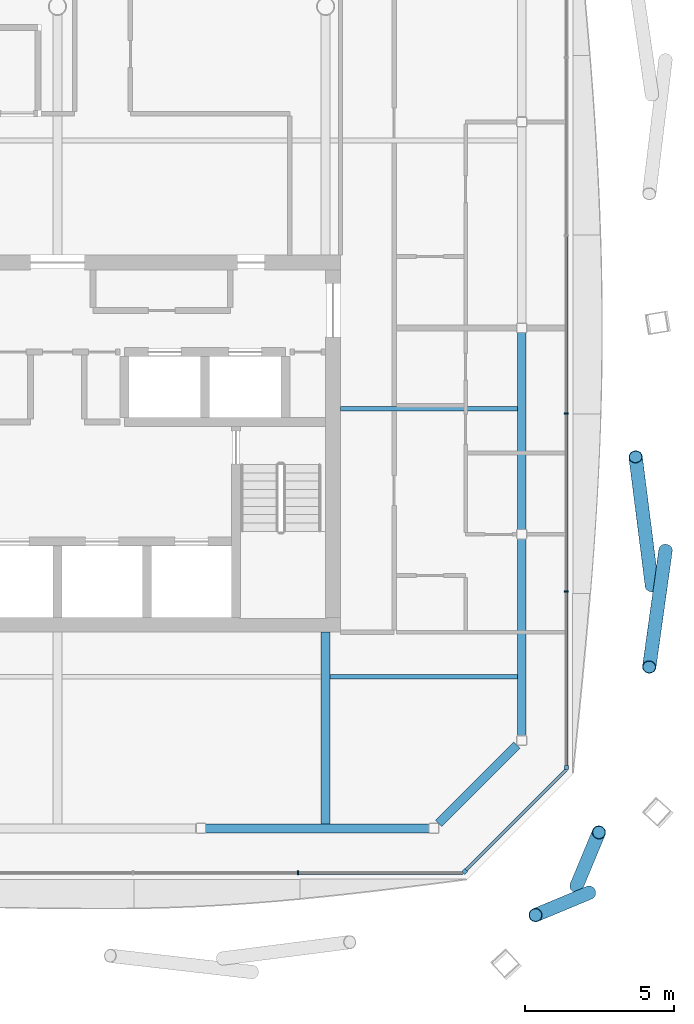
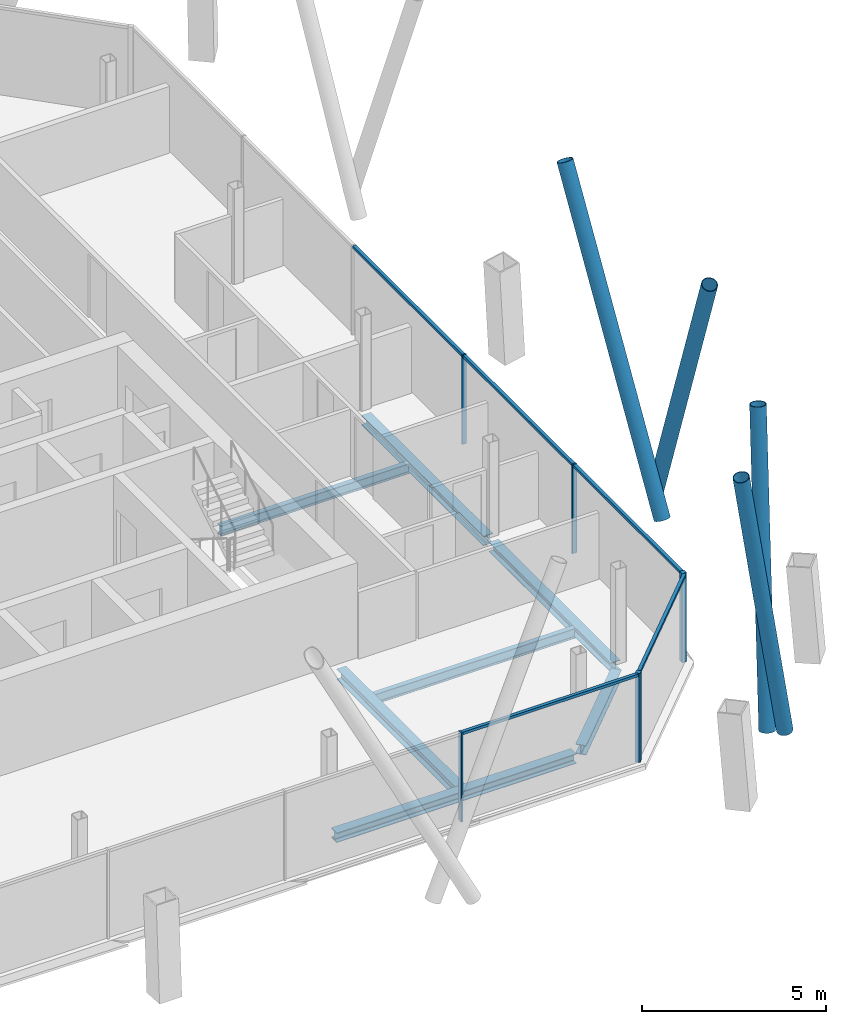
# One storey, part 7 of 19: 14 members, 7 beams, 3 elements without a shape of their own.
"""IFC4 building model written with IfcOpenShell, lengths in metres."""

from ifc_helpers import new_model, si_unit, direction, frame, origin, origin_2d, place, context, subcontext, project, spatial, rectangle, hollow_circle, i_section, extrude, material, material_profile, profile_set, type_object, element, aggregate, save


model = new_model("IFC4")

# Units and contexts
model_context = context("Model", 3, precision=1e-05, world=origin(), true_north=direction((0.0, 1.0)))
body_context = subcontext(model_context, "Body", "Model", "MODEL_VIEW")
ifc_project = project(units=[si_unit("LENGTHUNIT", "METRE"), si_unit("AREAUNIT", "SQUARE_METRE"), si_unit("VOLUMEUNIT", "CUBIC_METRE"), si_unit("PLANEANGLEUNIT", "RADIAN"), si_unit("MASSUNIT", "GRAM", prefix="KILO")], contexts=[model_context])

# Site, building, storey
site_placement = place(None, origin())
site = spatial("IfcSite", under=ifc_project, at=site_placement, CompositionType="ELEMENT")
building_placement = place(site_placement, origin())
building = spatial("IfcBuilding", under=site, at=building_placement, Name="Tskaro Facet Tower", CompositionType="ELEMENT")
storey_placement = place(building_placement, frame((0.0, 0.0, 191.10009765625)))
storey = spatial("IfcBuildingStorey", under=building, at=storey_placement, Name="L48", CompositionType="ELEMENT", Elevation=191.10009765625)

# Members
ifc_material_1 = material(Name="Steel S355J2H", Category="steel")
ifc_material_profile_1 = material_profile(ifc_material_1, hollow_circle(Radius=0.228515625, WallThickness=0.02001953125, at=origin_2d()), Name="CHS 457x20")
ifc_profile_set_1 = profile_set([ifc_material_profile_1], Name="Steel S355J2H")
member_type_1 = type_object("IfcMemberType", Name="CHS 457x20 brace", PredefinedType="BRACE", material=ifc_profile_set_1)
for number, where, z_axis, x_axis, name in (
    (1, (17.42333984375, -20.518310546875, 0.0), (0.07773112306, 0.186332028065, 0.97940708994), (-0.922913691455, 0.385006906593, 0.0), "CHS 457x20 XB03A/4"),
    (2, (17.841552734375, -20.74658203125, 0.0), (-0.186356452478, -0.077730756553, 0.979402471972), (0.384962378812, -0.922932265608, 0.0), "CHS 457x20 XB03B/4"),
):
    element("IfcMember", number, at=place(storey_placement, frame(where, z_axis=z_axis, x_axis=x_axis)), inside=storey, type_object=member_type_1, Name=name, PredefinedType="BRACE", context=body_context, shape_type="SweptSolid", body=[
        extrude(hollow_circle(Radius=0.228515625, WallThickness=0.02001953125, at=origin_2d()), origin(), (0.0, 0.0, 1.0), 9.648681640625),
    ])
member_1_placement = place(storey_placement, frame((19.951904296875, -10.43896484375, 0.0), z_axis=(-0.052623002474, 0.415423764961, 0.908104572787), x_axis=(-0.992072247398, -0.125668834411, 0.0)))
element("IfcMember", 3, at=member_1_placement, inside=storey, type_object=member_type_1, Name="CHS 457x20 XB04A/4", PredefinedType="BRACE", context=body_context, shape_type="SweptSolid", body=[
    extrude(hollow_circle(Radius=0.228515625, WallThickness=0.02001953125, at=origin_2d()), origin(), (0.0, 0.0, 1.0), 10.40625),
])
member_2_placement = place(storey_placement, frame((20.408935546875, -9.259033203125, 0.0), z_axis=(-0.053464449865, -0.381974056658, 0.92262526122), x_axis=(0.990345989055, -0.138617538437, 0.0)))
element("IfcMember", 4, at=member_2_placement, inside=storey, type_object=member_type_1, Name="CHS 457x20 XB04B/4", PredefinedType="BRACE", context=body_context, shape_type="SweptSolid", body=[
    extrude(hollow_circle(Radius=0.228515625, WallThickness=0.02001953125, at=origin_2d()), origin(), (0.0, 0.0, 1.0), 10.242431640625),
])

# Curtain wall, member
ifc_material_2 = material(Name="Bronze anodised aluminium 6063-T6", Category="aluminium")
curtain_wall_type = type_object("IfcCurtainWallType", Name="Bronze residence curtain wall (FW3)", PredefinedType="NOTDEFINED", material=ifc_material_2)
curtain_wall_1_placement = place(storey_placement, origin())
curtain_wall_1 = element("IfcCurtainWall", 5, at=curtain_wall_1_placement, inside=storey, type_object=curtain_wall_type, Name="FW3 south-east facet L48", PredefinedType="NOTDEFINED")
ifc_material_profile_2 = material_profile(ifc_material_2, rectangle(XDim=0.139892578125, YDim=0.139892578125, at=origin_2d()), Name="Corner post 140x140")
ifc_profile_set_2 = profile_set([ifc_material_profile_2], Name="Bronze anodised aluminium 6063-T6")
member_type_2 = type_object("IfcMemberType", Name="FW3 bronze corner post 140x140", PredefinedType="MULLION", material=ifc_profile_set_2)
member_3_placement = place(storey_placement, frame((13.66748046875, -20.030517578125, 0.0), z_axis=(0.0, 0.0, 1.0), x_axis=(0.707106781187, 0.707106781187, 0.0)))
member_3 = element("IfcMember", 6, at=member_3_placement, type_object=member_type_2, Name="FW3 south-east corner post", PredefinedType="MULLION", context=body_context, shape_type="SweptSolid", body=[
    extrude(rectangle(XDim=0.139892578125, YDim=0.139892578125, at=origin_2d()), origin(), (0.0, 0.0, 1.0), 2.949951171875),
])

curtain_wall_2_placement = place(storey_placement, origin())
curtain_wall_2 = element("IfcCurtainWall", 7, at=curtain_wall_2_placement, inside=storey, type_object=curtain_wall_type, Name="FW3 east facet L48", PredefinedType="NOTDEFINED")
member_4_placement = place(storey_placement, frame((17.080078125, -16.548095703125, 0.0), z_axis=(0.0, 0.0, 1.0), x_axis=(0.0, 1.0, 0.0)))
member_4 = element("IfcMember", 8, at=member_4_placement, type_object=member_type_2, Name="FW3 east corner post", PredefinedType="MULLION", context=body_context, shape_type="SweptSolid", body=[
    extrude(rectangle(XDim=0.139892578125, YDim=0.139892578125, at=origin_2d()), origin(), (0.0, 0.0, 1.0), 2.949951171875),
])

curtain_wall_3_placement = place(storey_placement, origin())
curtain_wall_3 = element("IfcCurtainWall", 9, at=curtain_wall_3_placement, inside=storey, type_object=curtain_wall_type, Name="FW3 south facet L48", PredefinedType="NOTDEFINED")
ifc_material_profile_3 = material_profile(ifc_material_2, rectangle(XDim=0.050048828125, YDim=0.139892578125, at=origin_2d()), Name="Mullion 50x140")
ifc_profile_set_3 = profile_set([ifc_material_profile_3], Name="Bronze anodised aluminium 6063-T6")
member_type_3 = type_object("IfcMemberType", Name="FW3 bronze mullion 50x140", PredefinedType="MULLION", material=ifc_profile_set_3)
member_5_placement = place(storey_placement, frame((8.07861328125, -20.080078125, 0.0), z_axis=(0.0, 0.0, 1.0), x_axis=(1.0, 0.0, 0.0)))
member_5 = element("IfcMember", 10, at=member_5_placement, type_object=member_type_3, Name="FW3 south mullion 5", PredefinedType="MULLION", context=body_context, shape_type="SweptSolid", body=[
    extrude(rectangle(XDim=0.050048828125, YDim=0.139892578125, at=origin_2d()), origin(), (0.0, 0.0, 1.0), 2.949951171875),
])

# Member
member_6_placement = place(storey_placement, frame((17.080078125, -10.640380859375, 0.0), z_axis=(0.0, 0.0, 1.0), x_axis=(0.0, 1.0, 0.0)))
member_6 = element("IfcMember", 11, at=member_6_placement, type_object=member_type_3, Name="FW3 east mullion 1", PredefinedType="MULLION", context=body_context, shape_type="SweptSolid", body=[
    extrude(rectangle(XDim=0.050048828125, YDim=0.139892578125, at=origin_2d()), origin(), (0.0, 0.0, 1.0), 2.949951171875),
])

member_7_placement = place(storey_placement, frame((17.080078125, -4.662841796875, 0.0), z_axis=(0.0, 0.0, 1.0), x_axis=(0.0, 1.0, 0.0)))
member_7 = element("IfcMember", 12, at=member_7_placement, type_object=member_type_3, Name="FW3 east mullion 2", PredefinedType="MULLION", context=body_context, shape_type="SweptSolid", body=[
    extrude(rectangle(XDim=0.050048828125, YDim=0.139892578125, at=origin_2d()), origin(), (0.0, 0.0, 1.0), 2.949951171875),
])

ifc_material_profile_4 = material_profile(ifc_material_2, rectangle(XDim=0.10009765625, YDim=0.090087890625, at=origin_2d()), Name="Transom 100x90")
ifc_profile_set_4 = profile_set([ifc_material_profile_4], Name="Bronze anodised aluminium 6063-T6")
member_type_4 = type_object("IfcMemberType", Name="FW3 bronze transom 100x90", PredefinedType="USERDEFINED", material=ifc_profile_set_4)
member_8_placement = place(storey_placement, frame((8.103759765625, -20.080078125, 2.90478515625), z_axis=(1.0, 0.0, 0.0), x_axis=(0.0, 1.0, 0.0)))
member_8 = element("IfcMember", 13, at=member_8_placement, type_object=member_type_4, Name="FW3 south transom 6.1", ObjectType="TRANSOM", PredefinedType="USERDEFINED", context=body_context, shape_type="SweptSolid", body=[
    extrude(rectangle(XDim=0.10009765625, YDim=0.090087890625, at=origin_2d()), origin(), (0.0, 0.0, 1.0), 5.51416015625),
])

aggregate(curtain_wall_3, [member_5, member_8])

member_9_placement = place(storey_placement, frame((13.717041015625, -19.98095703125, 2.90478515625), z_axis=(0.707106781187, 0.707106781187, 0.0), x_axis=(-0.707106781187, 0.707106781187, 0.0)))
member_9 = element("IfcMember", 14, at=member_9_placement, type_object=member_type_4, Name="FW3 south-east transom 1.1", ObjectType="TRANSOM", PredefinedType="USERDEFINED", context=body_context, shape_type="SweptSolid", body=[
    extrude(rectangle(XDim=0.10009765625, YDim=0.090087890625, at=origin_2d()), origin(), (0.0, 0.0, 1.0), 4.756103515625),
])

aggregate(curtain_wall_1, [member_3, member_9])

member_10_placement = place(storey_placement, frame((17.080078125, -16.47802734375, 2.90478515625), z_axis=(0.0, 1.0, 0.0), x_axis=(-1.0, 0.0, 0.0)))
member_10 = element("IfcMember", 15, at=member_10_placement, type_object=member_type_4, Name="FW3 east transom 1.1", ObjectType="TRANSOM", PredefinedType="USERDEFINED", context=body_context, shape_type="SweptSolid", body=[
    extrude(rectangle(XDim=0.10009765625, YDim=0.090087890625, at=origin_2d()), origin(), (0.0, 0.0, 1.0), 5.812744140625),
])

member_11_placement = place(storey_placement, frame((17.080078125, -10.615478515625, 2.90478515625), z_axis=(0.0, 1.0, 0.0), x_axis=(-1.0, 0.0, 0.0)))
member_11 = element("IfcMember", 16, at=member_11_placement, type_object=member_type_4, Name="FW3 east transom 2.1", ObjectType="TRANSOM", PredefinedType="USERDEFINED", context=body_context, shape_type="SweptSolid", body=[
    extrude(rectangle(XDim=0.10009765625, YDim=0.090087890625, at=origin_2d()), origin(), (0.0, 0.0, 1.0), 5.927734375),
])

member_12_placement = place(storey_placement, frame((17.080078125, -4.6376953125, 2.90478515625), z_axis=(0.0, 1.0, 0.0), x_axis=(-1.0, 0.0, 0.0)))
member_12 = element("IfcMember", 17, at=member_12_placement, type_object=member_type_4, Name="FW3 east transom 3.1", ObjectType="TRANSOM", PredefinedType="USERDEFINED", context=body_context, shape_type="SweptSolid", body=[
    extrude(rectangle(XDim=0.10009765625, YDim=0.090087890625, at=origin_2d()), origin(), (0.0, 0.0, 1.0), 5.927490234375),
])

aggregate(curtain_wall_2, [member_4, member_6, member_7, member_10, member_11, member_12])

# Beams
ifc_material_3 = material(Name="Steel S355J2", Category="steel")
ifc_material_profile_5 = material_profile(ifc_material_3, i_section(OverallWidth=0.300048828125, OverallDepth=0.320068359375, WebThickness=0.011474609375, FlangeThickness=0.0205078125, FilletRadius=0.027099609375, at=origin_2d()), Name="HE 320 B")
ifc_profile_set_5 = profile_set([ifc_material_profile_5], Name="Steel S355J2")
beam_type_1 = type_object("IfcBeamType", Name="HE 320 B ring beam", PredefinedType="BEAM", material=ifc_profile_set_5)
beam_1_placement = place(storey_placement, frame((4.971923828125, -18.5830078125, -0.300048828125), z_axis=(1.0, 0.0, 0.0), x_axis=(0.0, 1.0, 0.0)))
element("IfcBeam", 18, at=beam_1_placement, inside=storey, type_object=beam_type_1, Name="HE 320 B EB4-4", PredefinedType="BEAM", context=body_context, shape_type="SweptSolid", body=[
    extrude(i_section(OverallWidth=0.300048828125, OverallDepth=0.320068359375, WebThickness=0.011474609375, FlangeThickness=0.0205078125, FilletRadius=0.027099609375, at=origin_2d()), origin(), (0.0, 0.0, 1.0), 7.506103515625),
])
beam_2_placement = place(storey_placement, frame((12.7939453125, -18.422119140625, -0.300048828125), z_axis=(0.707106781187, 0.707106781187, 0.0), x_axis=(-0.707106781187, 0.707106781187, 0.0)))
element("IfcBeam", 19, at=beam_2_placement, inside=storey, type_object=beam_type_1, Name="HE 320 B EB5-4", PredefinedType="BEAM", context=body_context, shape_type="SweptSolid", body=[
    extrude(i_section(OverallWidth=0.300048828125, OverallDepth=0.320068359375, WebThickness=0.011474609375, FlangeThickness=0.0205078125, FilletRadius=0.027099609375, at=origin_2d()), origin(), (0.0, 0.0, 1.0), 3.716796875),
])
for number, where, z_axis, x_axis, name in (
    (20, (15.5830078125, -15.47802734375, -0.300048828125), (0.0, 1.0, 0.0), (-1.0, 0.0, 0.0), "HE 320 B EB6-4"),
    (21, (15.5830078125, -8.55810546875, -0.300048828125), (0.0, 1.0, 0.0), (-1.0, 0.0, 0.0), "HE 320 B EB7-4"),
):
    element("IfcBeam", number, at=place(storey_placement, frame(where, z_axis=z_axis, x_axis=x_axis)), inside=storey, type_object=beam_type_1, Name=name, PredefinedType="BEAM", context=body_context, shape_type="SweptSolid", body=[
        extrude(i_section(OverallWidth=0.300048828125, OverallDepth=0.320068359375, WebThickness=0.011474609375, FlangeThickness=0.0205078125, FilletRadius=0.027099609375, at=origin_2d()), origin(), (0.0, 0.0, 1.0), 6.610107421875),
    ])
ifc_material_profile_6 = material_profile(ifc_material_3, i_section(OverallWidth=0.300048828125, OverallDepth=0.35009765625, WebThickness=0.010009765625, FlangeThickness=0.017578125, FilletRadius=0.027099609375, at=origin_2d()), Name="HE 360 A")
ifc_profile_set_6 = profile_set([ifc_material_profile_6], Name="Steel S355J2")
beam_type_2 = type_object("IfcBeamType", Name="HE 360 A girder", PredefinedType="BEAM", material=ifc_profile_set_6)
beam_3_placement = place(storey_placement, frame((9.0, -18.43310546875, -0.315185546875), z_axis=(0.0, 1.0, 0.0), x_axis=(-1.0, 0.0, 0.0)))
element("IfcBeam", 22, at=beam_3_placement, inside=storey, type_object=beam_type_2, Name="HE 360 A GB5-1-4", PredefinedType="BEAM", context=body_context, shape_type="SweptSolid", body=[
    extrude(i_section(OverallWidth=0.300048828125, OverallDepth=0.35009765625, WebThickness=0.010009765625, FlangeThickness=0.017578125, FilletRadius=0.027099609375, at=origin_2d()), origin(), (0.0, 0.0, 1.0), 6.43310546875),
])
ifc_material_profile_7 = material_profile(ifc_material_3, i_section(OverallWidth=0.159912109375, OverallDepth=0.330078125, WebThickness=0.007568359375, FlangeThickness=0.011474609375, FilletRadius=0.01806640625, at=origin_2d()), Name="IPE 330")
ifc_profile_set_7 = profile_set([ifc_material_profile_7], Name="Steel S355J2")
beam_type_3 = type_object("IfcBeamType", Name="IPE 330 secondary beam", PredefinedType="BEAM", material=ifc_profile_set_7)
beam_4_placement = place(storey_placement, frame((9.14990234375, -13.5, -0.30517578125), z_axis=(1.0, 0.0, 0.0), x_axis=(0.0, 1.0, 0.0)))
element("IfcBeam", 23, at=beam_4_placement, inside=storey, type_object=beam_type_3, Name="IPE 330 SB2a-5-4", PredefinedType="BEAM", context=body_context, shape_type="SweptSolid", body=[
    extrude(i_section(OverallWidth=0.159912109375, OverallDepth=0.330078125, WebThickness=0.007568359375, FlangeThickness=0.011474609375, FilletRadius=0.01806640625, at=origin_2d()), origin(), (0.0, 0.0, 1.0), 6.283203125),
])
beam_5_placement = place(storey_placement, frame((9.5, -4.5, -0.30517578125), z_axis=(1.0, 0.0, 0.0), x_axis=(0.0, 1.0, 0.0)))
element("IfcBeam", 24, at=beam_5_placement, inside=storey, type_object=beam_type_3, Name="IPE 330 SB3a-3-4", PredefinedType="BEAM", context=body_context, shape_type="SweptSolid", body=[
    extrude(i_section(OverallWidth=0.159912109375, OverallDepth=0.330078125, WebThickness=0.007568359375, FlangeThickness=0.011474609375, FilletRadius=0.01806640625, at=origin_2d()), origin(), (0.0, 0.0, 1.0), 5.93310546875),
])

save(model, "model.ifc")
